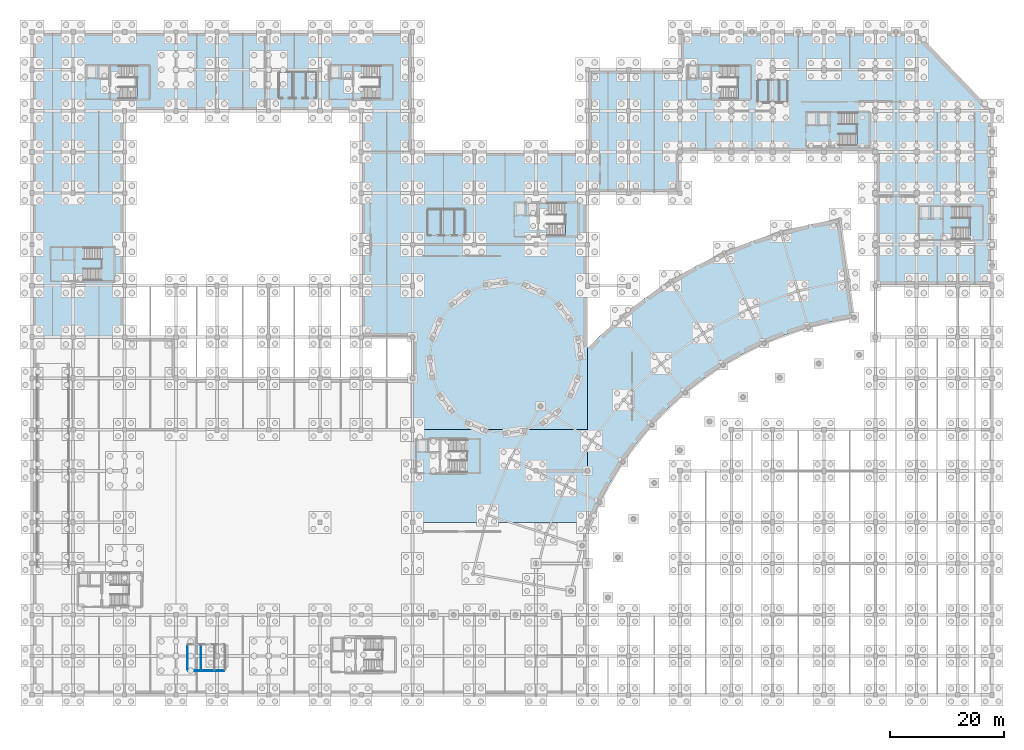
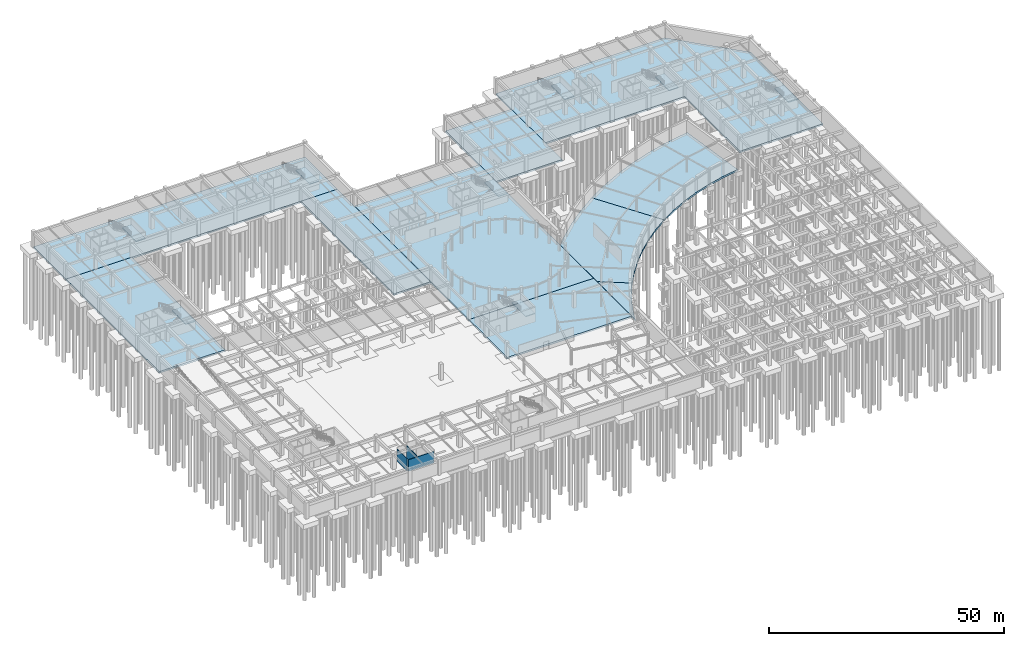
# One storey, part 28 of 42: 18 slabs, 3 walls, 8 elements without a shape of their own.
"""IFC4 building model written with IfcOpenShell, lengths in metres."""

from ifc_helpers import new_model, si_unit, direction, frame, frame_2d, origin, place, context, subcontext, project, spatial, polyline, rectangle, outline, extrude, material, layer, layer_set, type_object, element, aggregate, save


model = new_model("IFC4")

# Units and contexts
model_context = context("Model", 3, precision=1e-05, world=origin(), true_north=direction((0.0, 1.0)))
body_context = subcontext(model_context, "Body", "Model", "MODEL_VIEW")
ifc_project = project(units=[si_unit("LENGTHUNIT", "METRE"), si_unit("AREAUNIT", "SQUARE_METRE"), si_unit("VOLUMEUNIT", "CUBIC_METRE"), si_unit("PLANEANGLEUNIT", "RADIAN"), si_unit("MASSUNIT", "GRAM", prefix="KILO")], contexts=[model_context])

# Site, building, storey
site_placement = place(None, origin())
site = spatial("IfcSite", under=ifc_project, at=site_placement, CompositionType="ELEMENT")
building_placement = place(site_placement, origin())
building = spatial("IfcBuilding", under=site, at=building_placement, Name="Clarverna Civic Hall", CompositionType="ELEMENT")
storey_placement = place(building_placement, frame((0.0, 0.0, -4.199951171875)))
storey = spatial("IfcBuildingStorey", under=building, at=storey_placement, Name="B01", CompositionType="ELEMENT", Elevation=-4.199951171875)

# Slabs
ifc_material_1 = material(Name="Concrete C30/37", Category="concrete")
ifc_layer_1 = layer(ifc_material_1, 0.449951171875)
ifc_layer_set_1 = layer_set([ifc_layer_1], Name="Concrete C30/37")
slab_type_1 = type_object("IfcSlabType", Name="SL-BS1", PredefinedType="BASESLAB", material=ifc_layer_set_1)
slab_1_placement = place(storey_placement, frame((0.0, 0.0, -0.449951171875)))
element("IfcSlab", 1, at=slab_1_placement, inside=storey, type_object=slab_type_1, Name="SL-BS1-001", PredefinedType="BASESLAB", context=body_context, shape_type="SweptSolid", body=[
    extrude(outline(polyline([(113.39990234375, 95.0), (147.60009765625, 95.0), (147.60009765625, 71.60009765625), (168.0, 71.60009765625), (168.0, 102.199951171875), (154.800048828125, 116.0), (113.39990234375, 116.0), (113.39990234375, 95.0)])), origin(), (0.0, 0.0, 1.0), 0.449951171875),
])
slab_2_placement = place(storey_placement, frame((0.0, 0.0, -0.449951171875)))
element("IfcSlab", 2, at=slab_2_placement, inside=storey, type_object=slab_type_1, Name="SL-BS1-002", PredefinedType="BASESLAB", context=body_context, shape_type="SweptSolid", body=[
    extrude(outline(polyline([(97.175048828125, 95.0), (66.625, 95.0), (66.625, 46.39990234375), (97.175048828125, 46.39990234375), (97.175048828125, 95.0)])), origin(), (0.0, 0.0, 1.0), 0.449951171875),
])
slab_3_placement = place(storey_placement, frame((0.0, 0.0, -0.449951171875)))
element("IfcSlab", 3, at=slab_3_placement, inside=storey, type_object=slab_type_1, Name="SL-BS1-003", PredefinedType="BASESLAB", context=body_context, shape_type="SweptSolid", body=[
    extrude(outline(polyline([(113.39990234375, 109.39990234375), (97.22509765625, 109.39990234375), (97.22509765625, 87.800048828125), (113.39990234375, 87.800048828125), (113.39990234375, 95.0), (113.39990234375, 109.39990234375)])), origin(), (0.0, 0.0, 1.0), 0.449951171875),
])
slab_4_placement = place(storey_placement, frame((0.0, 0.0, -0.449951171875)))
element("IfcSlab", 4, at=slab_4_placement, inside=storey, type_object=slab_type_1, Name="SL-BS1-004", PredefinedType="BASESLAB", context=body_context, shape_type="SweptSolid", body=[
    extrude(outline(polyline([(135.84765625, 64.329833984375), (139.81640625, 65.3193359375), (143.844482421875, 66.02978515625), (141.4228515625, 83.260498046875), (136.19873046875, 82.339111328125), (131.051513671875, 81.055908203125), (126.006591796875, 79.41650390625), (121.087890625, 77.429443359375), (116.3203125, 75.10400390625), (111.72607421875, 72.45166015625), (120.94677734375, 57.695556640625), (124.489013671875, 59.74072265625), (128.165283203125, 61.53369140625), (131.95751953125, 63.06591796875), (135.84765625, 64.329833984375)])), origin(), (0.0, 0.0, 1.0), 0.449951171875),
])
slab_5_placement = place(storey_placement, frame((0.0, 0.0, -0.449951171875)))
element("IfcSlab", 5, at=slab_5_placement, inside=storey, type_object=slab_type_1, Name="SL-BS1-005", PredefinedType="BASESLAB", context=body_context, shape_type="SweptSolid", body=[
    extrude(outline(polyline([(114.33251953125, 52.89013671875), (117.555908203125, 55.408447265625), (120.94677734375, 57.695556640625), (111.72607421875, 72.45166015625), (107.328369140625, 69.4853515625), (103.148193359375, 66.219482421875), (99.2060546875, 62.669921875), (97.22509765625, 60.618408203125), (97.22509765625, 44.9462890625), (103.41845703125, 40.768798828125), (105.822509765625, 44.077880859375), (108.45166015625, 47.211181640625), (111.29296875, 50.1533203125), (114.33251953125, 52.89013671875)])), origin(), (0.0, 0.0, 1.0), 0.449951171875),
])
slab_6_placement = place(storey_placement, frame((0.0, 0.0, -0.449951171875)))
element("IfcSlab", 6, at=slab_6_placement, inside=storey, type_object=slab_type_1, Name="SL-BS1-006", PredefinedType="BASESLAB", context=body_context, shape_type="SweptSolid", body=[
    extrude(outline(polyline([(99.330810546875, 33.6884765625), (101.2509765625, 37.300048828125), (103.41845703125, 40.768798828125), (97.22509765625, 44.9462890625), (97.22509765625, 28.737548828125), (97.6669921875, 29.951904296875), (99.330810546875, 33.6884765625)])), origin(), (0.0, 0.0, 1.0), 0.449951171875),
])
slab_7_placement = place(storey_placement, frame((0.0, 0.0, -0.449951171875)))
element("IfcSlab", 7, at=slab_7_placement, inside=storey, type_object=slab_type_1, Name="SL-BS1-007", PredefinedType="BASESLAB", context=body_context, shape_type="SweptSolid", body=[
    extrude(outline(polyline([(97.175048828125, 46.39990234375), (66.625, 46.39990234375), (66.625, 30.199951171875), (97.175048828125, 30.199951171875), (97.175048828125, 46.39990234375)])), origin(), (0.0, 0.0, 1.0), 0.449951171875),
])
slab_8_placement = place(storey_placement, frame((0.0, 0.0, -0.449951171875)))
element("IfcSlab", 8, at=slab_8_placement, inside=storey, type_object=slab_type_1, Name="SL-BS1-008", PredefinedType="BASESLAB", context=body_context, shape_type="SweptSolid", body=[
    extrude(outline(polyline([(0.0, 102.199951171875), (66.574951171875, 102.199951171875), (66.574951171875, 116.0), (0.0, 116.0), (0.0, 102.199951171875)])), origin(), (0.0, 0.0, 1.0), 0.449951171875),
])
slab_9_placement = place(storey_placement, frame((0.0, 0.0, -0.449951171875)))
element("IfcSlab", 9, at=slab_9_placement, inside=storey, type_object=slab_type_1, Name="SL-BS1-009", PredefinedType="BASESLAB", context=body_context, shape_type="SweptSolid", body=[
    extrude(outline(polyline([(0.0, 102.199951171875), (0.0, 62.60009765625), (16.199951171875, 62.60009765625), (16.199951171875, 102.199951171875), (0.0, 102.199951171875)])), origin(), (0.0, 0.0, 1.0), 0.449951171875),
])
slab_10_placement = place(storey_placement, frame((0.0, 0.0, -0.449951171875)))
element("IfcSlab", 10, at=slab_10_placement, inside=storey, type_object=slab_type_1, Name="SL-BS1-010", PredefinedType="BASESLAB", context=body_context, shape_type="SweptSolid", body=[
    extrude(outline(polyline([(57.60009765625, 62.60009765625), (66.574951171875, 62.60009765625), (66.574951171875, 102.199951171875), (57.60009765625, 102.199951171875), (57.60009765625, 62.60009765625)])), origin(), (0.0, 0.0, 1.0), 0.449951171875),
])

# Stair, slab
stair_type_1 = type_object("IfcStairType", Name="ST-H1", PredefinedType="HALF_TURN_STAIR", material=ifc_material_1)
stair_1_placement = place(storey_placement, origin())
stair_1 = element("IfcStair", 11, at=stair_1_placement, inside=storey, type_object=stair_type_1, Name="ST-H1:B01:0001", PredefinedType="HALF_TURN_STAIR")
ifc_layer_2 = layer(ifc_material_1, 0.199951171875)
ifc_layer_set_2 = layer_set([ifc_layer_2], Name="Concrete C30/37")
slab_type_2 = type_object("IfcSlabType", Name="SL-LD1", PredefinedType="LANDING", material=ifc_layer_set_2)
slab_11_placement = place(storey_placement, frame((0.0, 0.0, 1.89990234375)))
slab_11 = element("IfcSlab", 12, at=slab_11_placement, type_object=slab_type_2, Name="SL-LD1-001", PredefinedType="LANDING", context=body_context, shape_type="SweptSolid", body=[
    extrude(outline(polyline([(144.340087890625, 96.02001953125), (146.64990234375, 96.02001953125), (146.64990234375, 101.97998046875), (144.340087890625, 101.97998046875), (144.340087890625, 96.02001953125)])), origin(), (0.0, 0.0, 1.0), 0.199951171875),
])
aggregate(stair_1, [slab_11])

stair_2_placement = place(storey_placement, origin())
stair_2 = element("IfcStair", 13, at=stair_2_placement, inside=storey, type_object=stair_type_1, Name="ST-H1:B01:0007", PredefinedType="HALF_TURN_STAIR")
slab_12_placement = place(storey_placement, frame((0.0, 0.0, 1.89990234375)))
slab_12 = element("IfcSlab", 14, at=slab_12_placement, type_object=slab_type_2, Name="SL-LD1-009", PredefinedType="LANDING", context=body_context, shape_type="SweptSolid", body=[
    extrude(outline(polyline([(164.139892578125, 79.6201171875), (166.449951171875, 79.6201171875), (166.449951171875, 85.580078125), (164.139892578125, 85.580078125), (164.139892578125, 79.6201171875)])), origin(), (0.0, 0.0, 1.0), 0.199951171875),
])
aggregate(stair_2, [slab_12])

stair_type_2 = type_object("IfcStairType", Name="ST-H2", PredefinedType="HALF_TURN_STAIR", material=ifc_material_1)
stair_3_placement = place(storey_placement, origin())
stair_3 = element("IfcStair", 15, at=stair_3_placement, inside=storey, type_object=stair_type_2, Name="ST-H2:B01:0001", PredefinedType="HALF_TURN_STAIR")
slab_13_placement = place(storey_placement, frame((0.0, 0.0, 1.89990234375)))
slab_13 = element("IfcSlab", 16, at=slab_13_placement, type_object=slab_type_2, Name="SL-LD1-017", PredefinedType="LANDING", context=body_context, shape_type="SweptSolid", body=[
    extrude(outline(polyline([(93.340087890625, 80.219970703125), (95.64990234375, 80.219970703125), (95.64990234375, 86.179931640625), (93.340087890625, 86.179931640625), (93.340087890625, 80.219970703125)])), origin(), (0.0, 0.0, 1.0), 0.199951171875),
])
aggregate(stair_3, [slab_13])

stair_4_placement = place(storey_placement, origin())
stair_4 = element("IfcStair", 17, at=stair_4_placement, inside=storey, type_object=stair_type_1, Name="ST-H1:B01:0013", PredefinedType="HALF_TURN_STAIR")
slab_14_placement = place(storey_placement, frame((0.0, 0.0, 1.89990234375)))
slab_14 = element("IfcSlab", 18, at=slab_14_placement, type_object=slab_type_2, Name="SL-LD1-022", PredefinedType="LANDING", context=body_context, shape_type="SweptSolid", body=[
    extrude(outline(polyline([(76.139892578125, 38.820068359375), (78.449951171875, 38.820068359375), (78.449951171875, 44.780029296875), (76.139892578125, 44.780029296875), (76.139892578125, 38.820068359375)])), origin(), (0.0, 0.0, 1.0), 0.199951171875),
])
aggregate(stair_4, [slab_14])

stair_5_placement = place(storey_placement, origin())
stair_5 = element("IfcStair", 19, at=stair_5_placement, inside=storey, type_object=stair_type_1, Name="ST-H1:B01:0014", PredefinedType="HALF_TURN_STAIR")
slab_15_placement = place(storey_placement, frame((0.0, 0.0, 1.89990234375)))
slab_15 = element("IfcSlab", 20, at=slab_15_placement, type_object=slab_type_2, Name="SL-LD1-025", PredefinedType="LANDING", context=body_context, shape_type="SweptSolid", body=[
    extrude(outline(polyline([(18.340087890625, 104.219970703125), (20.64990234375, 104.219970703125), (20.64990234375, 110.179931640625), (18.340087890625, 110.179931640625), (18.340087890625, 104.219970703125)])), origin(), (0.0, 0.0, 1.0), 0.199951171875),
])
aggregate(stair_5, [slab_15])

stair_6_placement = place(storey_placement, origin())
stair_6 = element("IfcStair", 21, at=stair_6_placement, inside=storey, type_object=stair_type_1, Name="ST-H1:B01:0019", PredefinedType="HALF_TURN_STAIR")
slab_16_placement = place(storey_placement, frame((0.0, 0.0, 1.89990234375)))
slab_16 = element("IfcSlab", 22, at=slab_16_placement, type_object=slab_type_2, Name="SL-LD1-038", PredefinedType="LANDING", context=body_context, shape_type="SweptSolid", body=[
    extrude(outline(polyline([(123.5400390625, 104.219970703125), (125.85009765625, 104.219970703125), (125.85009765625, 110.179931640625), (123.5400390625, 110.179931640625), (123.5400390625, 104.219970703125)])), origin(), (0.0, 0.0, 1.0), 0.199951171875),
])
aggregate(stair_6, [slab_16])

stair_7_placement = place(storey_placement, origin())
stair_7 = element("IfcStair", 23, at=stair_7_placement, inside=storey, type_object=stair_type_1, Name="ST-H1:B01:0023", PredefinedType="HALF_TURN_STAIR")
slab_17_placement = place(storey_placement, frame((0.0, 0.0, 1.89990234375)))
slab_17 = element("IfcSlab", 24, at=slab_17_placement, type_object=slab_type_2, Name="SL-LD1-044", PredefinedType="LANDING", context=body_context, shape_type="SweptSolid", body=[
    extrude(outline(polyline([(60.93994140625, 104.219970703125), (63.25, 104.219970703125), (63.25, 110.179931640625), (60.93994140625, 110.179931640625), (60.93994140625, 104.219970703125)])), origin(), (0.0, 0.0, 1.0), 0.199951171875),
])
aggregate(stair_7, [slab_17])

stair_8_placement = place(storey_placement, origin())
stair_8 = element("IfcStair", 25, at=stair_8_placement, inside=storey, type_object=stair_type_1, Name="ST-H1:B01:0026", PredefinedType="HALF_TURN_STAIR")
slab_18_placement = place(storey_placement, frame((0.0, 0.0, 1.89990234375)))
slab_18 = element("IfcSlab", 26, at=slab_18_placement, type_object=slab_type_2, Name="SL-LD1-049", PredefinedType="LANDING", context=body_context, shape_type="SweptSolid", body=[
    extrude(outline(polyline([(12.18994140625, 72.419921875), (14.5, 72.419921875), (14.5, 78.3798828125), (12.18994140625, 78.3798828125), (12.18994140625, 72.419921875)])), origin(), (0.0, 0.0, 1.0), 0.199951171875),
])
aggregate(stair_8, [slab_18])

# Walls
ifc_material_2 = material(Name="Ceramic Brick and Plaster Wet-Room Partition", Category="masonry")
ifc_layer_3 = layer(ifc_material_2, 0.139892578125)
ifc_layer_set_3 = layer_set([ifc_layer_3], Name="Ceramic Brick and Plaster Wet-Room Partition")
wall_type = type_object("IfcWallType", Name="PW-02", PredefinedType="PARTITIONING", material=ifc_layer_set_3)
wall_placement = place(storey_placement, frame((27.3798828125, 4.199951171875, 0.0), z_axis=(0.0, 0.0, 1.0), x_axis=(1.0, 0.0, 0.0)))
element("IfcWall", 27, at=wall_placement, inside=storey, type_object=wall_type, Name="PW-02-161", PredefinedType="PARTITIONING", context=body_context, shape_type="SweptSolid", body=[
    extrude(rectangle(XDim=6.240234375, YDim=0.139892578125, at=frame_2d((3.1201171875, 0.0))), origin(), (0.0, 0.0, 1.0), 2.989990234375),
])
for number, where, z_axis, x_axis, name in (
    (28, (27.199951171875, 4.3798828125, 0.0), (0.0, 0.0, 1.0), (0.0, 1.0, 0.0), "PW-02-162"),
    (29, (29.575927734375, 4.3798828125, 0.0), (0.0, 0.0, 1.0), (0.0, 1.0, 0.0), "PW-02-164"),
):
    element("IfcWall", number, at=place(storey_placement, frame(where, z_axis=z_axis, x_axis=x_axis)), inside=storey, type_object=wall_type, Name=name, PredefinedType="PARTITIONING", context=body_context, shape_type="SweptSolid", body=[
        extrude(rectangle(XDim=4.240234375, YDim=0.139892578125, at=frame_2d((2.1201171875, 0.0))), origin(), (0.0, 0.0, 1.0), 3.18994140625),
    ])

save(model, "model.ifc")
